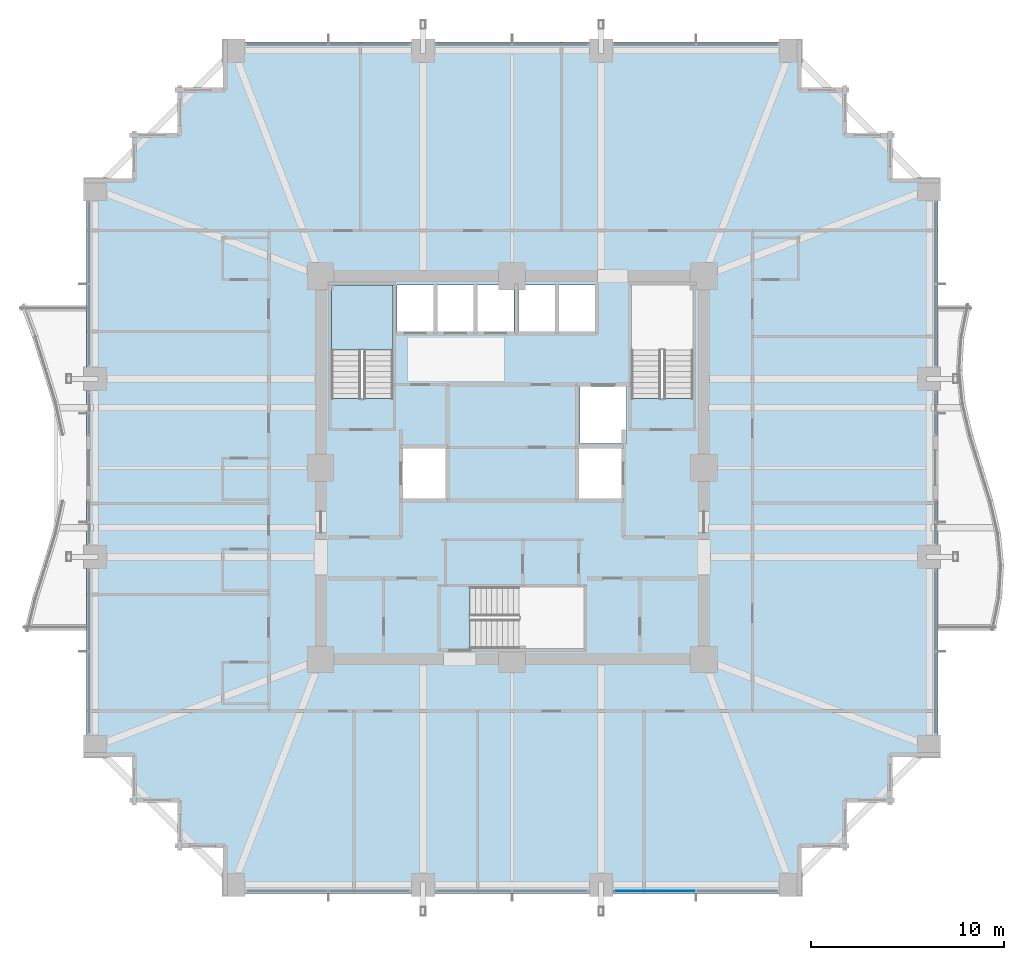
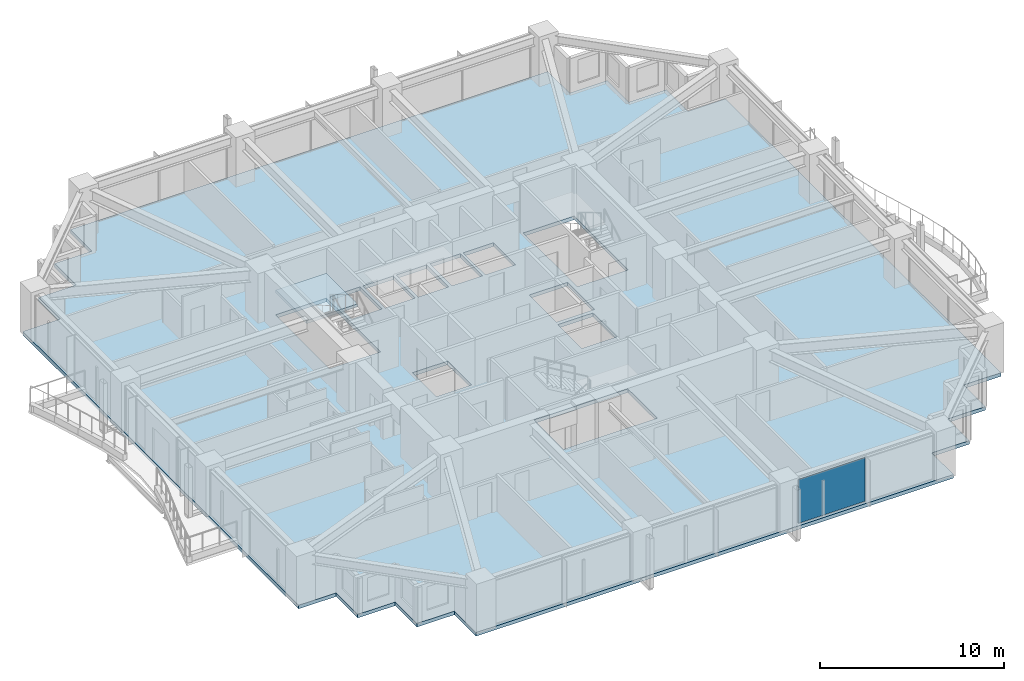
# One storey, part 27 of 36: 2 slabs, 1 plate, 2 elements without a shape of their own.
"""IFC4 building model written with IfcOpenShell, lengths in metres."""

from ifc_helpers import new_model, si_unit, direction, frame, origin, origin_2d, place, context, subcontext, project, spatial, polyline, rectangle, outline, extrude, material, layer, layer_set, type_object, element, aggregate, save


model = new_model("IFC4")

# Units and contexts
model_context = context("Model", 3, precision=1e-05, world=origin(), true_north=direction((0.0, 1.0)))
body_context = subcontext(model_context, "Body", "Model", "MODEL_VIEW")
ifc_project = project(units=[si_unit("LENGTHUNIT", "METRE"), si_unit("AREAUNIT", "SQUARE_METRE"), si_unit("VOLUMEUNIT", "CUBIC_METRE"), si_unit("PLANEANGLEUNIT", "RADIAN"), si_unit("MASSUNIT", "GRAM", prefix="KILO")], contexts=[model_context])

# Site, building, storey
site_placement = place(None, origin())
site = spatial("IfcSite", under=ifc_project, at=site_placement, CompositionType="ELEMENT")
building_placement = place(site_placement, origin())
building = spatial("IfcBuilding", under=site, at=building_placement, Name="Kolvaren Belvedere", CompositionType="ELEMENT")
storey_placement = place(building_placement, frame((0.0, 0.0, 46.89990234375)))
storey = spatial("IfcBuildingStorey", under=building, at=storey_placement, Name="L13", CompositionType="ELEMENT", Elevation=46.89990234375)

# Curtain wall, plate
ifc_material_1 = material(Name="Anodised pale-metal aluminium AA 6063-T6", Category="aluminium")
curtain_wall_type = type_object("IfcCurtainWallType", Name="CW-Z1-LOW", PredefinedType="NOTDEFINED", material=ifc_material_1)
curtain_wall_placement = place(storey_placement, origin())
curtain_wall = element("IfcCurtainWall", 1, at=curtain_wall_placement, inside=storey, type_object=curtain_wall_type, Name="L13 Unitised Curtain Wall FCW-L13-S-B1", PredefinedType="NOTDEFINED")
ifc_material_2 = material(Name="Low-iron triple insulated glass", Category="glass")
ifc_layer_1 = layer(ifc_material_2, 0.028076171875)
ifc_layer_set_1 = layer_set([ifc_layer_1], Name="Low-iron triple insulated glass")
plate_type = type_object("IfcPlateType", Name="CW-PNL-VIS28", PredefinedType="CURTAIN_PANEL", material=ifc_layer_set_1)
plate_placement = place(storey_placement, frame((7.37744140625, -21.8798828125, 0.080078125), z_axis=(0.0, 0.0, 1.0), x_axis=(-1.0, 0.0, 0.0)))
plate = element("IfcPlate", 2, at=plate_placement, type_object=plate_type, Name="FCW-L13-S-B1 Vision Glazing Panel 2", PredefinedType="CURTAIN_PANEL", context=body_context, shape_type="SweptSolid", body=[
    extrude(rectangle(XDim=4.1650390625, YDim=0.028076171875, at=origin_2d()), origin(), (0.0, 0.0, 1.0), 2.89990234375),
])
aggregate(curtain_wall, [plate])

# Slab
ifc_material_3 = material(Name="Concrete C50/60", Category="concrete")
ifc_layer_2 = layer(ifc_material_3, 0.239990234375)
ifc_layer_set_2 = layer_set([ifc_layer_2], Name="Concrete C50/60")
slab_type_1 = type_object("IfcSlabType", Name="SL-FLR-240", PredefinedType="FLOOR", material=ifc_layer_set_2)
slab_1_placement = place(storey_placement, frame((0.0, 0.0, -0.239990234375)))
element("IfcSlab", 3, at=slab_1_placement, inside=storey, type_object=slab_type_1, Name="L13 Primary Structural Slab", PredefinedType="FLOOR", context=body_context, shape_type="SweptSolid", body=[
    extrude(outline(polyline([(-14.949951171875, -22.0), (14.949951171875, -22.0), (14.949951171875, -19.64990234375), (17.300048828125, -19.64990234375), (17.300048828125, -17.300048828125), (19.64990234375, -17.300048828125), (19.64990234375, -14.949951171875), (22.0, -14.949951171875), (22.0, 14.949951171875), (19.64990234375, 14.949951171875), (19.64990234375, 17.300048828125), (17.300048828125, 17.300048828125), (17.300048828125, 19.64990234375), (14.949951171875, 19.64990234375), (14.949951171875, 22.0), (-14.949951171875, 22.0), (-14.949951171875, 19.64990234375), (-17.300048828125, 19.64990234375), (-17.300048828125, 17.300048828125), (-19.64990234375, 17.300048828125), (-19.64990234375, 14.949951171875), (-22.0, 14.949951171875), (-22.0, -14.949951171875), (-19.64990234375, -14.949951171875), (-19.64990234375, -17.300048828125), (-17.300048828125, -17.300048828125), (-17.300048828125, -19.64990234375), (-14.949951171875, -19.64990234375), (-14.949951171875, -22.0)]), holes=[polyline([(-9.35009765625, 3.580078125), (-6.159912109375, 3.580078125), (-6.159912109375, 9.449951171875), (-9.35009765625, 9.449951171875), (-9.35009765625, 3.580078125)]), polyline([(6.159912109375, 3.580078125), (9.35009765625, 3.580078125), (9.35009765625, 9.449951171875), (6.159912109375, 9.449951171875), (6.159912109375, 3.580078125)]), polyline([(-2.169921875, -9.35009765625), (3.699951171875, -9.35009765625), (3.699951171875, -6.159912109375), (-2.169921875, -6.159912109375), (-2.169921875, -9.35009765625)]), polyline([(-5.64990234375, -1.60009765625), (-3.449951171875, -1.60009765625), (-3.449951171875, 1.0), (-5.64990234375, 1.0), (-5.64990234375, -1.60009765625)]), polyline([(3.5, 1.25), (5.89990234375, 1.25), (5.89990234375, 4.199951171875), (3.5, 4.199951171875), (3.5, 1.25)]), polyline([(3.449951171875, -1.60009765625), (5.64990234375, -1.60009765625), (5.64990234375, 1.0), (3.449951171875, 1.0), (3.449951171875, -1.60009765625)]), polyline([(-5.9599609375, 7.050048828125), (-4.06005859375, 7.050048828125), (-4.06005859375, 9.449951171875), (-5.9599609375, 9.449951171875), (-5.9599609375, 7.050048828125)]), polyline([(-3.8798828125, 7.050048828125), (-1.97998046875, 7.050048828125), (-1.97998046875, 9.449951171875), (-3.8798828125, 9.449951171875), (-3.8798828125, 7.050048828125)]), polyline([(-1.800048828125, 7.050048828125), (0.10009765625, 7.050048828125), (0.10009765625, 9.449951171875), (-1.800048828125, 9.449951171875), (-1.800048828125, 7.050048828125)]), polyline([(0.320068359375, 7.050048828125), (2.219970703125, 7.050048828125), (2.219970703125, 9.449951171875), (0.320068359375, 9.449951171875), (0.320068359375, 7.050048828125)]), polyline([(2.39990234375, 7.050048828125), (4.300048828125, 7.050048828125), (4.300048828125, 9.449951171875), (2.39990234375, 9.449951171875), (2.39990234375, 7.050048828125)])]), origin(), (0.0, 0.0, 1.0), 0.239990234375),
])

# Stair, slab
ifc_material_4 = material(Name="Concrete C50/60", Category="concrete")
stair_type = type_object("IfcStairType", Name="ST-CORE-1520", PredefinedType="HALF_TURN_STAIR", material=ifc_material_4)
stair_placement = place(storey_placement, origin())
stair = element("IfcStair", 4, at=stair_placement, inside=storey, type_object=stair_type, Name="L13 Protected Exit Stair ST-1", PredefinedType="HALF_TURN_STAIR")
ifc_material_5 = material(Name="Concrete C50/60", Category="concrete")
ifc_layer_3 = layer(ifc_material_5, 0.260009765625)
ifc_layer_set_3 = layer_set([ifc_layer_3], Name="Concrete C50/60")
slab_type_2 = type_object("IfcSlabType", Name="SL-LAND-260", PredefinedType="LANDING", material=ifc_layer_set_3)
slab_2_placement = place(storey_placement, frame((0.0, 0.0, 1.4501953125)))
slab_2 = element("IfcSlab", 5, at=slab_2_placement, type_object=slab_type_2, Name="ST-1 landing 1", PredefinedType="LANDING", context=body_context, shape_type="SweptSolid", body=[
    extrude(outline(polyline([(-6.159912109375, 6.090087890625), (-6.159912109375, 9.449951171875), (-9.35009765625, 9.449951171875), (-9.35009765625, 6.090087890625), (-6.159912109375, 6.090087890625)])), origin(), (0.0, 0.0, 1.0), 0.199951171875),
])
aggregate(stair, [slab_2])

save(model, "model.ifc")
